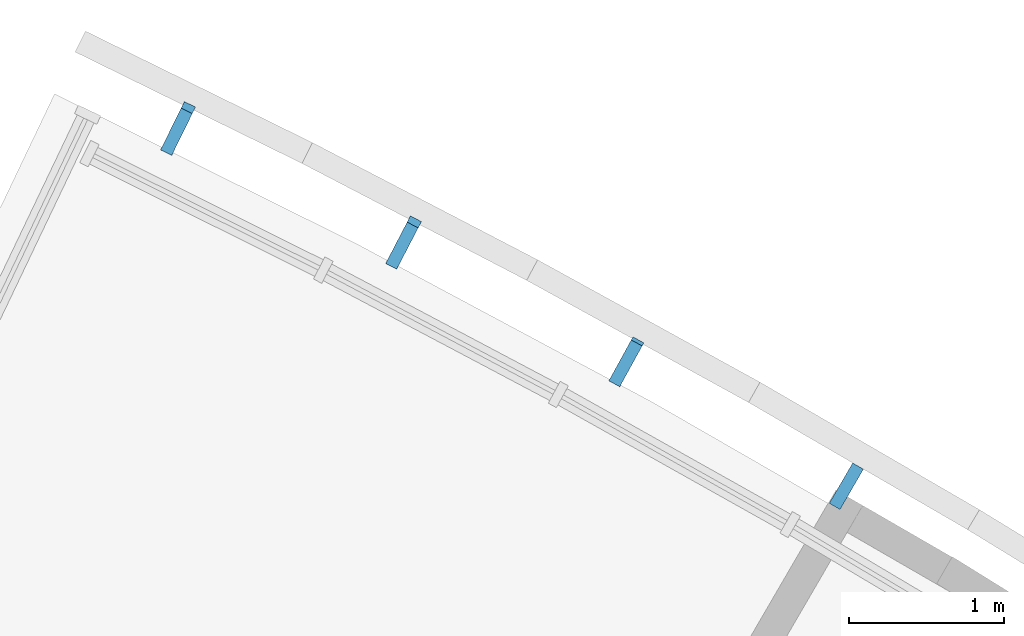
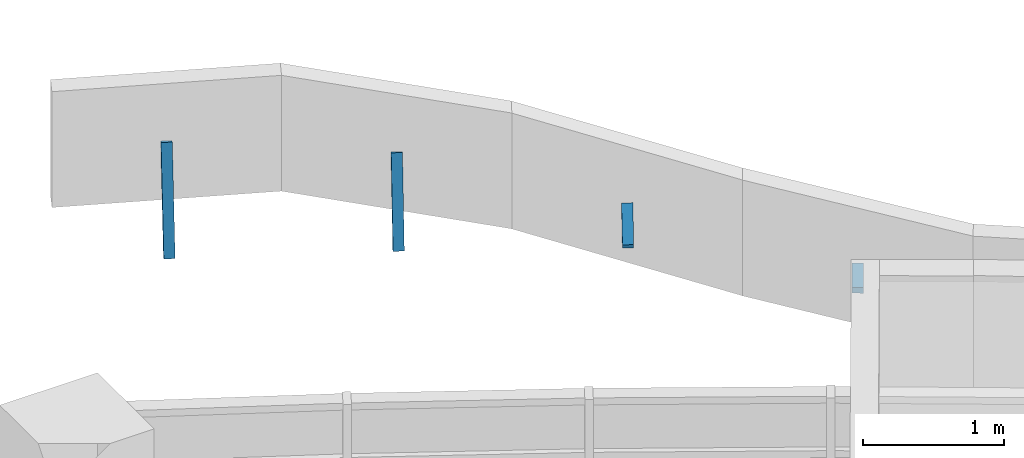
# One storey, part 72 of 89: 4 discrete accessories.
"""IFC4 building model written with IfcOpenShell, lengths in metres."""

from ifc_helpers import new_model, si_unit, direction, frame, origin, origin_2d, place, context, subcontext, project, spatial, rectangle, extrude, material, material_profile, profile_set, type_object, element, save


model = new_model("IFC4")

# Units and contexts
model_context = context("Model", 3, precision=1e-05, world=origin(), true_north=direction((0.0, 1.0)))
body_context = subcontext(model_context, "Body", "Model", "MODEL_VIEW")
ifc_project = project(units=[si_unit("LENGTHUNIT", "METRE"), si_unit("AREAUNIT", "SQUARE_METRE"), si_unit("VOLUMEUNIT", "CUBIC_METRE"), si_unit("PLANEANGLEUNIT", "RADIAN"), si_unit("MASSUNIT", "GRAM", prefix="KILO")], contexts=[model_context])

# Site, building, storey
site_placement = place(None, origin())
site = spatial("IfcSite", under=ifc_project, at=site_placement, CompositionType="ELEMENT")
building_placement = place(site_placement, origin())
building = spatial("IfcBuilding", under=site, at=building_placement, Name="Bougainvillea Quay General Hospital", CompositionType="ELEMENT")
storey_placement = place(building_placement, frame((0.0, 0.0, 9.89990234375)))
storey = spatial("IfcBuildingStorey", under=building, at=storey_placement, Name="L01M", CompositionType="ELEMENT", Elevation=9.89990234375)

# Discrete accessories
ifc_material = material(Name="Stainless steel bracket, grade 316", Category="steel")
ifc_material_profile = material_profile(ifc_material, rectangle(XDim=0.080078125, YDim=0.050048828125, at=origin_2d()))
ifc_profile_set = profile_set([ifc_material_profile], Name="Stainless steel bracket, grade 316")
discrete_accessory_type = type_object("IfcDiscreteAccessoryType", Name="Stainless steel stand-off bracket 80x50", PredefinedType="BRACKET", material=ifc_profile_set)
discrete_accessory_1_placement = place(storey_placement, frame((144.360107421875, 82.52392578125, 2.250732421875), z_axis=(0.501998115226, 0.864868713915, 0.0), x_axis=(-0.864868713915, 0.501998115226, 0.0)))
element("IfcDiscreteAccessory", 1, at=discrete_accessory_1_placement, inside=storey, type_object=discrete_accessory_type, Name="Fascia bracket a10 13", PredefinedType="BRACKET", context=body_context, shape_type="SweptSolid", body=[
    extrude(rectangle(XDim=0.080078125, YDim=0.050048828125, at=origin_2d()), origin(), (0.0, 0.0, 1.0), 0.300048828125),
])
discrete_accessory_2_placement = place(storey_placement, frame((142.9462890625, 83.323486328125, 2.64013671875), z_axis=(0.429508050427, 0.781385422821, 0.452724701802), x_axis=(-0.876336137747, 0.481700086858, 0.0)))
element("IfcDiscreteAccessory", 2, at=discrete_accessory_2_placement, inside=storey, type_object=discrete_accessory_type, Name="Fascia bracket a10 14", PredefinedType="BRACKET", context=body_context, shape_type="SweptSolid", body=[
    extrude(rectangle(XDim=0.080078125, YDim=0.050048828125, at=origin_2d()), origin(), (0.0, 0.0, 1.0), 0.33642578125),
])
discrete_accessory_3_placement = place(storey_placement, frame((141.514404296875, 84.090087890625, 2.64013671875), z_axis=(0.195569977969, 0.375963449712, 0.90576148527), x_axis=(-0.887150162952, 0.461480864581, 0.0)))
element("IfcDiscreteAccessory", 3, at=discrete_accessory_3_placement, inside=storey, type_object=discrete_accessory_type, Name="Fascia bracket a10 15", PredefinedType="BRACKET", context=body_context, shape_type="SweptSolid", body=[
    extrude(rectangle(XDim=0.080078125, YDim=0.050048828125, at=origin_2d()), origin(), (0.0, 0.0, 1.0), 0.707763671875),
])
discrete_accessory_4_placement = place(storey_placement, frame((140.06494140625, 84.822998046875, 2.64013671875), z_axis=(0.155486601893, 0.316423841121, 0.935788367849), x_axis=(-0.897497826972, 0.441018877805, 0.0)))
element("IfcDiscreteAccessory", 4, at=discrete_accessory_4_placement, inside=storey, type_object=discrete_accessory_type, Name="Fascia bracket a10 16", PredefinedType="BRACKET", context=body_context, shape_type="SweptSolid", body=[
    extrude(rectangle(XDim=0.080078125, YDim=0.050048828125, at=origin_2d()), origin(), (0.0, 0.0, 1.0), 0.85107421875),
])

save(model, "model.ifc")
